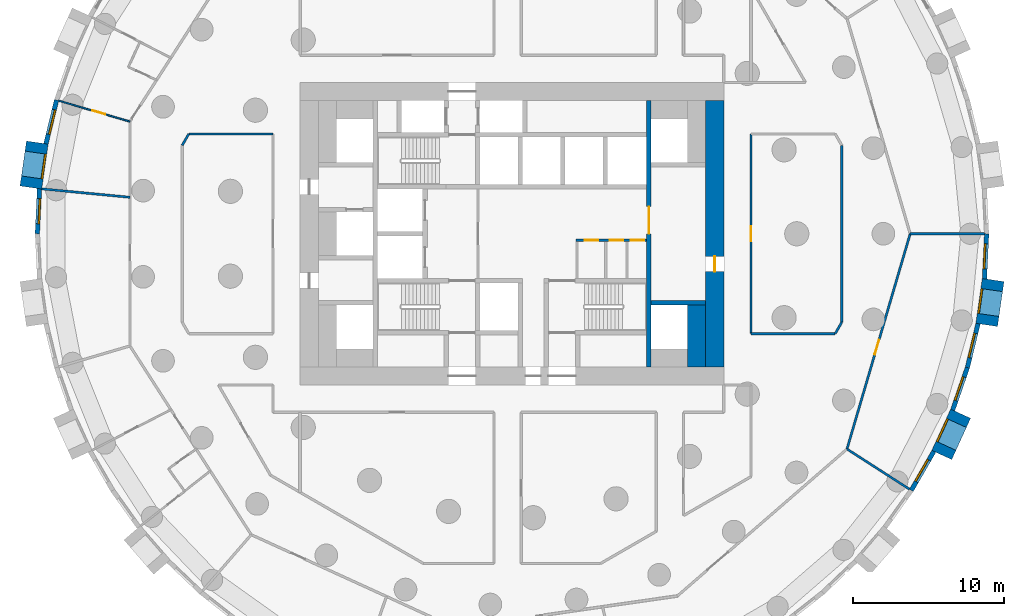
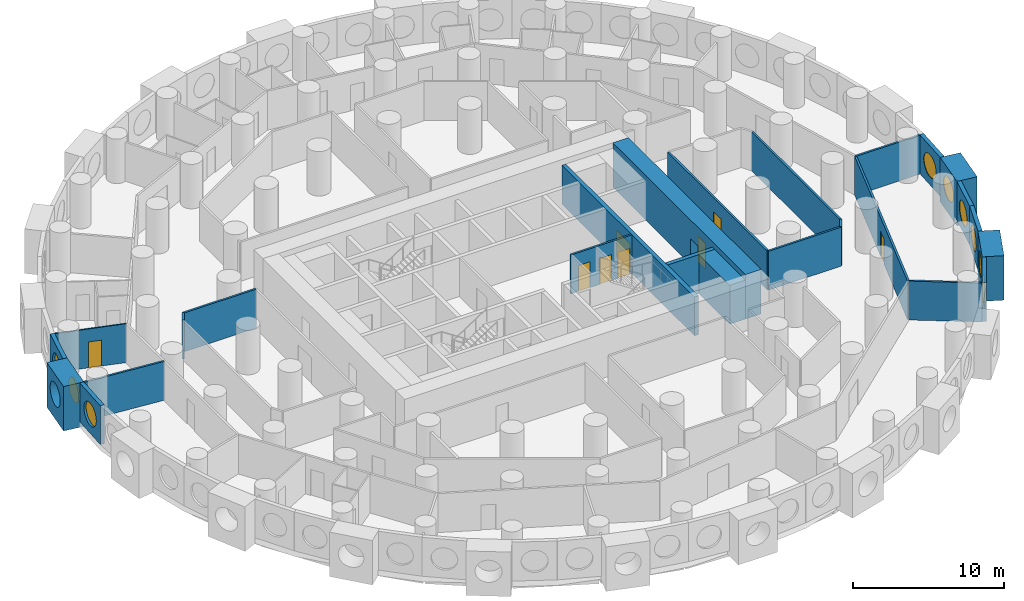
# One storey, part 6 of 12: 25 walls, 9 windows, 8 doors, 17 openings.
"""IFC4 building model written with IfcOpenShell, lengths in metres."""

from ifc_helpers import new_model, si_unit, direction, frame, frame_2d, origin, origin_2d, place, context, subcontext, project, spatial, rectangle, circle, extrude, material, layer, layer_set, type_object, element, fill, save


model = new_model("IFC4")

# Units and contexts
model_context = context("Model", 3, precision=1e-05, world=origin(), true_north=direction((0.0, 1.0)))
body_context = subcontext(model_context, "Body", "Model", "MODEL_VIEW")
ifc_project = project(units=[si_unit("LENGTHUNIT", "METRE"), si_unit("AREAUNIT", "SQUARE_METRE"), si_unit("VOLUMEUNIT", "CUBIC_METRE"), si_unit("PLANEANGLEUNIT", "RADIAN"), si_unit("MASSUNIT", "GRAM", prefix="KILO")], contexts=[model_context])

# Site, building, storey
site_placement = place(None, origin())
site = spatial("IfcSite", under=ifc_project, at=site_placement, CompositionType="ELEMENT")
building_placement = place(site_placement, origin())
building = spatial("IfcBuilding", under=site, at=building_placement, Name="Tracery Tower", CompositionType="ELEMENT")
storey_placement = place(building_placement, frame((0.0, 0.0, 57.0)))
storey = spatial("IfcBuildingStorey", under=building, at=storey_placement, Name="L13", CompositionType="ELEMENT", Elevation=57.0)

# Wall, openings, doors
ifc_material_1 = material(Name="Plasterboard on steel studs", Category="steel")
ifc_layer_1 = layer(ifc_material_1, 0.14990234375)
ifc_layer_set_1 = layer_set([ifc_layer_1], Name="Core room partition 150")
wall_type_1 = type_object("IfcWallType", Name="Core room partition 150", PredefinedType="SOLIDWALL", material=ifc_layer_set_1)
wall_1_placement = place(storey_placement, frame((4.22509765625, -0.425048828125, 0.0), z_axis=(0.0, 0.0, 1.0), x_axis=(1.0, 0.0, 0.0)))
wall_1 = element("IfcWall", 1, at=wall_1_placement, inside=storey, type_object=wall_type_1, Name="L13 slot N", PredefinedType="SOLIDWALL", context=body_context, shape_type="SweptSolid", body=[
    extrude(rectangle(XDim=4.6748046875, YDim=0.14990234375, at=frame_2d((2.33740234375, 0.0))), origin(), (0.0, 0.0, 1.0), 3.14990234375),
])
opening_1_placement = place(wall_1_placement, frame((0.574951171875, 0.0, 0.0)))
opening_1 = element("IfcOpeningElement", 2, at=opening_1_placement, cuts=wall_1, Name="Opening KD22", PredefinedType="OPENING", context=body_context, shape_type="SweptSolid", body=[
    extrude(rectangle(XDim=0.89990234375, YDim=2.10009765625, at=frame_2d((0.449951171875, 1.050048828125))), frame((0.0, 0.074951171875, 0.0), z_axis=(0.0, -1.0, 0.0), x_axis=(1.0, 0.0, 0.0)), (0.0, 0.0, 1.0), 0.14990234375),
])
opening_2_placement = place(wall_1_placement, frame((2.22509765625, 0.0, 0.0)))
opening_2 = element("IfcOpeningElement", 3, at=opening_2_placement, cuts=wall_1, Name="Opening KD26", PredefinedType="OPENING", context=body_context, shape_type="SweptSolid", body=[
    extrude(rectangle(XDim=0.89990234375, YDim=2.10009765625, at=frame_2d((0.449951171875, 1.050048828125))), frame((0.0, 0.074951171875, 0.0), z_axis=(0.0, -1.0, 0.0), x_axis=(1.0, 0.0, 0.0)), (0.0, 0.0, 1.0), 0.14990234375),
])
opening_3_placement = place(wall_1_placement, frame((3.612548828125, 0.0, 0.0)))
opening_3 = element("IfcOpeningElement", 4, at=opening_3_placement, cuts=wall_1, Name="Opening KD27", PredefinedType="OPENING", context=body_context, shape_type="SweptSolid", body=[
    extrude(rectangle(XDim=0.89990234375, YDim=2.10009765625, at=frame_2d((0.449951171875, 1.050048828125))), frame((0.0, 0.074951171875, 0.0), z_axis=(0.0, -1.0, 0.0), x_axis=(1.0, 0.0, 0.0)), (0.0, 0.0, 1.0), 0.14990234375),
])
ifc_material_2 = material(Name="Timber door leaf", Category="wood")
door_type_1 = type_object("IfcDoorType", Name="Core WC door 900", OperationType="NOTDEFINED", PredefinedType="DOOR", material=ifc_material_2)
door_1_placement = place(opening_1_placement, origin())
door_1 = element("IfcDoor", 5, at=door_1_placement, inside=storey, type_object=door_type_1, Name="Core door", OperationType="SINGLE_SWING_RIGHT", OverallHeight=2.10009765625, OverallWidth=0.89990234375, PredefinedType="DOOR", context=body_context, shape_type="SweptSolid", body=[
    extrude(rectangle(XDim=0.89990234375, YDim=2.10009765625, at=frame_2d((0.449951171875, 1.050048828125))), frame((0.0, 0.02490234375, 0.0), z_axis=(0.0, -1.0, 0.0), x_axis=(1.0, 0.0, 0.0)), (0.0, 0.0, 1.0), 0.050048828125),
])
fill(opening_1, door_1)
ifc_material_3 = material(Name="Timber door leaf", Category="wood")
door_type_2 = type_object("IfcDoorType", Name="Core store door 900", OperationType="NOTDEFINED", PredefinedType="DOOR", material=ifc_material_3)
door_2_placement = place(opening_2_placement, origin())
door_2 = element("IfcDoor", 6, at=door_2_placement, inside=storey, type_object=door_type_2, Name="Core door", OperationType="SINGLE_SWING_LEFT", OverallHeight=2.10009765625, OverallWidth=0.89990234375, PredefinedType="DOOR", context=body_context, shape_type="SweptSolid", body=[
    extrude(rectangle(XDim=0.89990234375, YDim=2.10009765625, at=frame_2d((0.449951171875, 1.050048828125))), frame((0.0, 0.02490234375, 0.0), z_axis=(0.0, -1.0, 0.0), x_axis=(1.0, 0.0, 0.0)), (0.0, 0.0, 1.0), 0.050048828125),
])
fill(opening_2, door_2)
door_3_placement = place(opening_3_placement, origin())
door_3 = element("IfcDoor", 7, at=door_3_placement, inside=storey, type_object=door_type_2, Name="Core door", OperationType="SINGLE_SWING_RIGHT", OverallHeight=2.10009765625, OverallWidth=0.89990234375, PredefinedType="DOOR", context=body_context, shape_type="SweptSolid", body=[
    extrude(rectangle(XDim=0.89990234375, YDim=2.10009765625, at=frame_2d((0.449951171875, 1.050048828125))), frame((0.0, 0.02490234375, 0.0), z_axis=(0.0, -1.0, 0.0), x_axis=(1.0, 0.0, 0.0)), (0.0, 0.0, 1.0), 0.050048828125),
])
fill(opening_3, door_3)

# Wall
ifc_material_4 = material(Name="Concrete C60/75", Category="concrete")
ifc_layer_2 = layer(ifc_material_4, 1.199951171875)
ifc_layer_set_2 = layer_set([ifc_layer_2], Name="Core strip wall 1200 C60")
wall_type_2 = type_object("IfcWallType", Name="Core strip wall 1200 C60", PredefinedType="SOLIDWALL", material=ifc_layer_set_2)
wall_2_placement = place(storey_placement, frame((12.199951171875, -8.800048828125, 0.0), z_axis=(0.0, 0.0, 1.0), x_axis=(0.0, 1.0, 0.0)))
element("IfcWall", 8, at=wall_2_placement, inside=storey, type_object=wall_type_2, Name="L13 wing strip +1 -9.4", PredefinedType="SOLIDWALL", context=body_context, shape_type="SweptSolid", body=[
    extrude(rectangle(XDim=4.10009765625, YDim=1.199951171875, at=frame_2d((2.050048828125, 0.0))), origin(), (0.0, 0.0, 1.0), 3.14990234375),
])

# Wall, opening, door
ifc_material_5 = material(Name="Concrete C60/75", Category="concrete")
ifc_layer_3 = layer(ifc_material_5, 1.199951171875)
ifc_layer_set_3 = layer_set([ifc_layer_3], Name="Core wall 1200 C60")
wall_type_3 = type_object("IfcWallType", Name="Core wall 1200 C60", PredefinedType="SOLIDWALL", material=ifc_layer_set_3)
wall_3_placement = place(storey_placement, frame((13.39990234375, -8.800048828125, 0.0), z_axis=(0.0, 0.0, 1.0), x_axis=(0.0, 1.0, 0.0)))
wall_3 = element("IfcWall", 9, at=wall_3_placement, inside=storey, type_object=wall_type_3, Name="L13 outer E", PredefinedType="SOLIDWALL", context=body_context, shape_type="SweptSolid", body=[
    extrude(rectangle(XDim=17.60009765625, YDim=1.199951171875, at=frame_2d((8.800048828125, 0.0))), origin(), (0.0, 0.0, 1.0), 3.60009765625),
])
opening_4_placement = place(wall_3_placement, frame((6.300048828125, 0.0, 0.0)))
opening_4 = element("IfcOpeningElement", 10, at=opening_4_placement, cuts=wall_3, Name="Opening KD18", PredefinedType="OPENING", context=body_context, shape_type="SweptSolid", body=[
    extrude(rectangle(XDim=1.0, YDim=2.10009765625, at=frame_2d((0.5, 1.050048828125))), frame((0.0, 0.60009765625, 0.0), z_axis=(0.0, -1.0, 0.0), x_axis=(1.0, 0.0, 0.0)), (0.0, 0.0, 1.0), 1.199951171875),
])
ifc_material_6 = material(Name="Steel fire door", Category="steel")
door_type_3 = type_object("IfcDoorType", Name="Core exit door 1000", OperationType="NOTDEFINED", PredefinedType="DOOR", material=ifc_material_6)
door_4_placement = place(opening_4_placement, origin())
door_4 = element("IfcDoor", 11, at=door_4_placement, inside=storey, type_object=door_type_3, Name="Core exit door", OperationType="DOUBLE_DOOR_SINGLE_SWING", OverallHeight=2.10009765625, OverallWidth=1.0, PredefinedType="DOOR", context=body_context, shape_type="SweptSolid", body=[
    extrude(rectangle(XDim=1.0, YDim=2.10009765625, at=frame_2d((0.5, 1.050048828125))), frame((0.0, 0.02490234375, 0.0), z_axis=(0.0, -1.0, 0.0), x_axis=(1.0, 0.0, 0.0)), (0.0, 0.0, 1.0), 0.050048828125),
])
fill(opening_4, door_4)

# Wall, opening, window
ifc_material_7 = material(Name="Precast concrete C50/60", Category="concrete")
ifc_layer_4 = layer(ifc_material_7, 1.449951171875)
ifc_layer_set_4 = layer_set([ifc_layer_4], Name="Deep-set bay unit 3000 x 3600, slab edge 450")
wall_type_4 = type_object("IfcWallType", Name="Deep-set bay unit 3000 x 3600, slab edge 450", PredefinedType="ELEMENTEDWALL", material=ifc_layer_set_4)
wall_4_placement = place(storey_placement, frame((-31.37548828125, 6.026611328125, -0.449951171875), z_axis=(0.0, 0.0, 1.0), x_axis=(-0.142332746704, -0.989818866872, 0.0)))
wall_4 = element("IfcWall", 12, at=wall_4_placement, inside=storey, type_object=wall_type_4, Name="Deep-set bay unit 32 at L13", PredefinedType="ELEMENTEDWALL", context=body_context, shape_type="SweptSolid", body=[
    extrude(rectangle(XDim=3.0, YDim=1.449951171875, at=frame_2d((1.5, 0.0))), origin(), (0.0, 0.0, 1.0), 3.599853515625),
])
opening_5_placement = place(wall_4_placement, frame((1.5, 0.0, 2.0)))
opening_5 = element("IfcOpeningElement", 13, at=opening_5_placement, cuts=wall_4, Name="Opening WN1", PredefinedType="OPENING", context=body_context, shape_type="SweptSolid", body=[
    extrude(circle(Radius=0.9000244140625, at=origin_2d()), frame((0.0, 0.73486328125, 0.0), z_axis=(0.0, -1.0, 0.0), x_axis=(1.0, 0.0, 0.0)), (0.0, 0.0, 1.0), 1.469970703125),
])
ifc_material_8 = material(Name="Aluminium frame with tinted double glazing", Category="aluminium")
window_type = type_object("IfcWindowType", Name="Round window 1800", PartitioningType="SINGLE_PANEL", PredefinedType="WINDOW", material=ifc_material_8)
window_1_placement = place(opening_5_placement, origin())
window_1 = element("IfcWindow", 14, at=window_1_placement, inside=storey, type_object=window_type, Name="Round window 32 at L13", OverallHeight=1.800048828125, OverallWidth=1.800048828125, PartitioningType="SINGLE_PANEL", PredefinedType="WINDOW", context=body_context, shape_type="SweptSolid", body=[
    extrude(circle(Radius=0.9000244140625, at=origin_2d()), frame((0.0, 0.69482421875, 0.0), z_axis=(0.0, -1.0, 0.0), x_axis=(1.0, 0.0, 0.0)), (0.0, 0.0, 1.0), 0.10009765625),
])
fill(opening_5, window_1)

wall_5_placement = place(storey_placement, frame((28.40673828125, -14.6220703125, -0.449951171875), z_axis=(0.0, 0.0, 1.0), x_axis=(0.415427028395, 0.909626508012, 0.0)))
wall_5 = element("IfcWall", 15, at=wall_5_placement, inside=storey, type_object=wall_type_4, Name="Deep-set bay unit 62 at L13", PredefinedType="ELEMENTEDWALL", context=body_context, shape_type="SweptSolid", body=[
    extrude(rectangle(XDim=3.000244140625, YDim=1.449951171875, at=frame_2d((1.5, 0.0))), origin(), (0.0, 0.0, 1.0), 3.599853515625),
])
opening_6_placement = place(wall_5_placement, frame((1.5, 0.0, 2.0)))
opening_6 = element("IfcOpeningElement", 16, at=opening_6_placement, cuts=wall_5, Name="Opening WN1", PredefinedType="OPENING", context=body_context, shape_type="SweptSolid", body=[
    extrude(circle(Radius=0.9000244140625, at=origin_2d()), frame((0.0, 0.73486328125, 0.0), z_axis=(0.0, -1.0, 0.0), x_axis=(1.0, 0.0, 0.0)), (0.0, 0.0, 1.0), 1.469970703125),
])
window_2_placement = place(opening_6_placement, origin())
window_2 = element("IfcWindow", 17, at=window_2_placement, inside=storey, type_object=window_type, Name="Round window 62 at L13", OverallHeight=1.800048828125, OverallWidth=1.800048828125, PartitioningType="SINGLE_PANEL", PredefinedType="WINDOW", context=body_context, shape_type="SweptSolid", body=[
    extrude(circle(Radius=0.9000244140625, at=origin_2d()), frame((0.0, 0.69482421875, 0.0), z_axis=(0.0, -1.0, 0.0), x_axis=(1.0, 0.0, 0.0)), (0.0, 0.0, 1.0), 0.10009765625),
])
fill(opening_6, window_2)

wall_6_placement = place(storey_placement, frame((31.37548828125, -6.026611328125, -0.449951171875), z_axis=(0.0, 0.0, 1.0), x_axis=(0.142332746704, 0.989818866872, 0.0)))
wall_6 = element("IfcWall", 18, at=wall_6_placement, inside=storey, type_object=wall_type_4, Name="Deep-set bay unit 65 at L13", PredefinedType="ELEMENTEDWALL", context=body_context, shape_type="SweptSolid", body=[
    extrude(rectangle(XDim=3.0, YDim=1.449951171875, at=frame_2d((1.5, 0.0))), origin(), (0.0, 0.0, 1.0), 3.599853515625),
])
opening_7_placement = place(wall_6_placement, frame((1.5, 0.0, 2.0)))
opening_7 = element("IfcOpeningElement", 19, at=opening_7_placement, cuts=wall_6, Name="Opening WN1", PredefinedType="OPENING", context=body_context, shape_type="SweptSolid", body=[
    extrude(circle(Radius=0.9000244140625, at=origin_2d()), frame((0.0, 0.73486328125, 0.0), z_axis=(0.0, -1.0, 0.0), x_axis=(1.0, 0.0, 0.0)), (0.0, 0.0, 1.0), 1.469970703125),
])
window_3_placement = place(opening_7_placement, origin())
window_3 = element("IfcWindow", 20, at=window_3_placement, inside=storey, type_object=window_type, Name="Round window 65 at L13", OverallHeight=1.800048828125, OverallWidth=1.800048828125, PartitioningType="SINGLE_PANEL", PredefinedType="WINDOW", context=body_context, shape_type="SweptSolid", body=[
    extrude(circle(Radius=0.9000244140625, at=origin_2d()), frame((0.0, 0.69482421875, 0.0), z_axis=(0.0, -1.0, 0.0), x_axis=(1.0, 0.0, 0.0)), (0.0, 0.0, 1.0), 0.10009765625),
])
fill(opening_7, window_3)

ifc_material_9 = material(Name="Precast concrete C50/60", Category="concrete")
ifc_layer_5 = layer(ifc_material_9, 0.300048828125)
ifc_layer_set_5 = layer_set([ifc_layer_5], Name="Facade panel 3000 x 3150")
wall_type_5 = type_object("IfcWallType", Name="Facade panel 3000 x 3150", PredefinedType="SOLIDWALL", material=ifc_layer_set_5)
wall_7_placement = place(storey_placement, frame((-30.103515625, 8.839111328125, 0.0), z_axis=(0.0, 0.0, 1.0), x_axis=(-0.235743081534, -0.971815414319, 0.0)))
wall_7 = element("IfcWall", 21, at=wall_7_placement, inside=storey, type_object=wall_type_5, Name="Facade panel 31 at L13", PredefinedType="SOLIDWALL", context=body_context, shape_type="SweptSolid", body=[
    extrude(rectangle(XDim=2.9794921875, YDim=0.300048828125, at=frame_2d((1.48974609375, 0.0))), origin(), (0.0, 0.0, 1.0), 3.14990234375),
])
opening_8_placement = place(wall_7_placement, frame((1.48974609375, 0.0, 1.5498046875)))
opening_8 = element("IfcOpeningElement", 22, at=opening_8_placement, cuts=wall_7, Name="Opening WN1", PredefinedType="OPENING", context=body_context, shape_type="SweptSolid", body=[
    extrude(circle(Radius=0.9000244140625, at=origin_2d()), frame((0.0, 0.159912109375, 0.0), z_axis=(0.0, -1.0, 0.0), x_axis=(1.0, 0.0, 0.0)), (0.0, 0.0, 1.0), 0.320068359375),
])
window_4_placement = place(opening_8_placement, origin())
window_4 = element("IfcWindow", 23, at=window_4_placement, inside=storey, type_object=window_type, Name="Round window 31 at L13", OverallHeight=1.800048828125, OverallWidth=1.800048828125, PartitioningType="SINGLE_PANEL", PredefinedType="WINDOW", context=body_context, shape_type="SweptSolid", body=[
    extrude(circle(Radius=0.9000244140625, at=origin_2d()), frame((0.0, 0.1201171875, 0.0), z_axis=(0.0, -1.0, 0.0), x_axis=(1.0, 0.0, 0.0)), (0.0, 0.0, 1.0), 0.10009765625),
])
fill(opening_8, window_4)

wall_8_placement = place(storey_placement, frame((-31.232666015625, 2.976318359375, 0.0), z_axis=(0.0, 0.0, 1.0), x_axis=(-0.047604077644, -0.998866283239, 0.0)))
wall_8 = element("IfcWall", 24, at=wall_8_placement, inside=storey, type_object=wall_type_5, Name="Facade panel 33 at L13", PredefinedType="SOLIDWALL", context=body_context, shape_type="SweptSolid", body=[
    extrude(rectangle(XDim=2.979736328125, YDim=0.300048828125, at=frame_2d((1.48974609375, 0.0))), origin(), (0.0, 0.0, 1.0), 3.14990234375),
])
opening_9_placement = place(wall_8_placement, frame((1.48974609375, 0.0, 1.5498046875)))
opening_9 = element("IfcOpeningElement", 25, at=opening_9_placement, cuts=wall_8, Name="Opening WN1", PredefinedType="OPENING", context=body_context, shape_type="SweptSolid", body=[
    extrude(circle(Radius=0.9000244140625, at=origin_2d()), frame((0.0, 0.159912109375, 0.0), z_axis=(0.0, -1.0, 0.0), x_axis=(1.0, 0.0, 0.0)), (0.0, 0.0, 1.0), 0.320068359375),
])
window_5_placement = place(opening_9_placement, origin())
window_5 = element("IfcWindow", 26, at=window_5_placement, inside=storey, type_object=window_type, Name="Round window 33 at L13", OverallHeight=1.800048828125, OverallWidth=1.800048828125, PartitioningType="SINGLE_PANEL", PredefinedType="WINDOW", context=body_context, shape_type="SweptSolid", body=[
    extrude(circle(Radius=0.9000244140625, at=origin_2d()), frame((0.0, 0.1201171875, 0.0), z_axis=(0.0, -1.0, 0.0), x_axis=(1.0, 0.0, 0.0)), (0.0, 0.0, 1.0), 0.10009765625),
])
fill(opening_9, window_5)

wall_9_placement = place(storey_placement, frame((26.393798828125, -16.96240234375, 0.0), z_axis=(0.0, 0.0, 1.0), x_axis=(0.500025049464, 0.866010940986, 0.0)))
wall_9 = element("IfcWall", 27, at=wall_9_placement, inside=storey, type_object=wall_type_5, Name="Facade panel 61 at L13", PredefinedType="SOLIDWALL", context=body_context, shape_type="SweptSolid", body=[
    extrude(rectangle(XDim=2.979736328125, YDim=0.300048828125, at=frame_2d((1.48974609375, 0.0))), origin(), (0.0, 0.0, 1.0), 3.14990234375),
])
opening_10_placement = place(wall_9_placement, frame((1.48974609375, 0.0, 1.5498046875)))
opening_10 = element("IfcOpeningElement", 28, at=opening_10_placement, cuts=wall_9, Name="Opening WN1", PredefinedType="OPENING", context=body_context, shape_type="SweptSolid", body=[
    extrude(circle(Radius=0.9000244140625, at=origin_2d()), frame((0.0, 0.159912109375, 0.0), z_axis=(0.0, -1.0, 0.0), x_axis=(1.0, 0.0, 0.0)), (0.0, 0.0, 1.0), 0.320068359375),
])
window_6_placement = place(opening_10_placement, origin())
window_6 = element("IfcWindow", 29, at=window_6_placement, inside=storey, type_object=window_type, Name="Round window 61 at L13", OverallHeight=1.800048828125, OverallWidth=1.800048828125, PartitioningType="SINGLE_PANEL", PredefinedType="WINDOW", context=body_context, shape_type="SweptSolid", body=[
    extrude(circle(Radius=0.9000244140625, at=origin_2d()), frame((0.0, 0.1201171875, 0.0), z_axis=(0.0, -1.0, 0.0), x_axis=(1.0, 0.0, 0.0)), (0.0, 0.0, 1.0), 0.10009765625),
])
fill(opening_10, window_6)

wall_10_placement = place(storey_placement, frame((29.12890625, -11.655029296875, 0.0), z_axis=(0.0, 0.0, 1.0), x_axis=(0.327071167136, 0.944999709856, 0.0)))
wall_10 = element("IfcWall", 30, at=wall_10_placement, inside=storey, type_object=wall_type_5, Name="Facade panel 63 at L13", PredefinedType="SOLIDWALL", context=body_context, shape_type="SweptSolid", body=[
    extrude(rectangle(XDim=2.979736328125, YDim=0.300048828125, at=frame_2d((1.48974609375, 0.0))), origin(), (0.0, 0.0, 1.0), 3.14990234375),
])
opening_11_placement = place(wall_10_placement, frame((1.48974609375, 0.0, 1.5498046875)))
opening_11 = element("IfcOpeningElement", 31, at=opening_11_placement, cuts=wall_10, Name="Opening WN1", PredefinedType="OPENING", context=body_context, shape_type="SweptSolid", body=[
    extrude(circle(Radius=0.9000244140625, at=origin_2d()), frame((0.0, 0.159912109375, 0.0), z_axis=(0.0, -1.0, 0.0), x_axis=(1.0, 0.0, 0.0)), (0.0, 0.0, 1.0), 0.320068359375),
])
window_7_placement = place(opening_11_placement, origin())
window_7 = element("IfcWindow", 32, at=window_7_placement, inside=storey, type_object=window_type, Name="Round window 63 at L13", OverallHeight=1.800048828125, OverallWidth=1.800048828125, PartitioningType="SINGLE_PANEL", PredefinedType="WINDOW", context=body_context, shape_type="SweptSolid", body=[
    extrude(circle(Radius=0.9000244140625, at=origin_2d()), frame((0.0, 0.1201171875, 0.0), z_axis=(0.0, -1.0, 0.0), x_axis=(1.0, 0.0, 0.0)), (0.0, 0.0, 1.0), 0.10009765625),
])
fill(opening_11, window_7)

wall_11_placement = place(storey_placement, frame((30.103515625, -8.839111328125, 0.0), z_axis=(0.0, 0.0, 1.0), x_axis=(0.235743081534, 0.971815414319, 0.0)))
wall_11 = element("IfcWall", 33, at=wall_11_placement, inside=storey, type_object=wall_type_5, Name="Facade panel 64 at L13", PredefinedType="SOLIDWALL", context=body_context, shape_type="SweptSolid", body=[
    extrude(rectangle(XDim=2.9794921875, YDim=0.300048828125, at=frame_2d((1.48974609375, 0.0))), origin(), (0.0, 0.0, 1.0), 3.14990234375),
])
opening_12_placement = place(wall_11_placement, frame((1.48974609375, 0.0, 1.5498046875)))
opening_12 = element("IfcOpeningElement", 34, at=opening_12_placement, cuts=wall_11, Name="Opening WN1", PredefinedType="OPENING", context=body_context, shape_type="SweptSolid", body=[
    extrude(circle(Radius=0.9000244140625, at=origin_2d()), frame((0.0, 0.159912109375, 0.0), z_axis=(0.0, -1.0, 0.0), x_axis=(1.0, 0.0, 0.0)), (0.0, 0.0, 1.0), 0.320068359375),
])
window_8_placement = place(opening_12_placement, origin())
window_8 = element("IfcWindow", 35, at=window_8_placement, inside=storey, type_object=window_type, Name="Round window 64 at L13", OverallHeight=1.800048828125, OverallWidth=1.800048828125, PartitioningType="SINGLE_PANEL", PredefinedType="WINDOW", context=body_context, shape_type="SweptSolid", body=[
    extrude(circle(Radius=0.9000244140625, at=origin_2d()), frame((0.0, 0.1201171875, 0.0), z_axis=(0.0, -1.0, 0.0), x_axis=(1.0, 0.0, 0.0)), (0.0, 0.0, 1.0), 0.10009765625),
])
fill(opening_12, window_8)

wall_12_placement = place(storey_placement, frame((31.232666015625, -2.976318359375, 0.0), z_axis=(0.0, 0.0, 1.0), x_axis=(0.047604077644, 0.998866283239, 0.0)))
wall_12 = element("IfcWall", 36, at=wall_12_placement, inside=storey, type_object=wall_type_5, Name="Facade panel 66 at L13", PredefinedType="SOLIDWALL", context=body_context, shape_type="SweptSolid", body=[
    extrude(rectangle(XDim=2.979736328125, YDim=0.300048828125, at=frame_2d((1.48974609375, 0.0))), origin(), (0.0, 0.0, 1.0), 3.14990234375),
])
opening_13_placement = place(wall_12_placement, frame((1.48974609375, 0.0, 1.5498046875)))
opening_13 = element("IfcOpeningElement", 37, at=opening_13_placement, cuts=wall_12, Name="Opening WN1", PredefinedType="OPENING", context=body_context, shape_type="SweptSolid", body=[
    extrude(circle(Radius=0.9000244140625, at=origin_2d()), frame((0.0, 0.159912109375, 0.0), z_axis=(0.0, -1.0, 0.0), x_axis=(1.0, 0.0, 0.0)), (0.0, 0.0, 1.0), 0.320068359375),
])
window_9_placement = place(opening_13_placement, origin())
window_9 = element("IfcWindow", 38, at=window_9_placement, inside=storey, type_object=window_type, Name="Round window 66 at L13", OverallHeight=1.800048828125, OverallWidth=1.800048828125, PartitioningType="SINGLE_PANEL", PredefinedType="WINDOW", context=body_context, shape_type="SweptSolid", body=[
    extrude(circle(Radius=0.9000244140625, at=origin_2d()), frame((0.0, 0.1201171875, 0.0), z_axis=(0.0, -1.0, 0.0), x_axis=(1.0, 0.0, 0.0)), (0.0, 0.0, 1.0), 0.10009765625),
])
fill(opening_13, window_9)

# Wall, opening, door
ifc_material_10 = material(Name="Plasterboard on steel studs", Category="steel")
ifc_layer_6 = layer(ifc_material_10, 0.10009765625)
ifc_layer_set_6 = layer_set([ifc_layer_6], Name="Partition 100 stud")
wall_type_6 = type_object("IfcWallType", Name="Partition 100 stud", PredefinedType="PARTITIONING", material=ifc_layer_set_6)
wall_13_placement = place(storey_placement, frame((-29.958984375, 8.797119140625, 0.0), z_axis=(0.0, 0.0, 1.0), x_axis=(0.959478767209, -0.281780934902, 0.0)))
wall_13 = element("IfcWall", 39, at=wall_13_placement, inside=storey, type_object=wall_type_6, Name="Stud partition RA3-088", PredefinedType="PARTITIONING", context=body_context, shape_type="SweptSolid", body=[
    extrude(rectangle(XDim=4.90478515625, YDim=0.10009765625, at=frame_2d((2.452392578125, 0.0))), origin(), (0.0, 0.0, 1.0), 3.14990234375),
])
opening_14_placement = place(wall_13_placement, frame((2.302734375, 0.0, 0.0)))
opening_14 = element("IfcOpeningElement", 40, at=opening_14_placement, cuts=wall_13, Name="Opening RA3-30", PredefinedType="OPENING", context=body_context, shape_type="SweptSolid", body=[
    extrude(rectangle(XDim=0.89990234375, YDim=2.10009765625, at=frame_2d((0.449951171875, 1.050048828125))), frame((0.0, 0.050048828125, 0.0), z_axis=(0.0, -1.0, 0.0), x_axis=(1.0, 0.0, 0.0)), (0.0, 0.0, 1.0), 0.10009765625),
])
ifc_material_11 = material(Name="Timber door leaf", Category="wood")
door_type_4 = type_object("IfcDoorType", Name="Door bedroom 900", OperationType="NOTDEFINED", PredefinedType="DOOR", material=ifc_material_11)
door_5_placement = place(opening_14_placement, origin())
door_5 = element("IfcDoor", 41, at=door_5_placement, inside=storey, type_object=door_type_4, Name="Bedroom door RA3-30", OperationType="SINGLE_SWING_LEFT", OverallHeight=2.10009765625, OverallWidth=0.89990234375, PredefinedType="DOOR", context=body_context, shape_type="SweptSolid", body=[
    extrude(rectangle(XDim=0.89990234375, YDim=2.10009765625, at=frame_2d((0.449951171875, 1.050048828125))), frame((0.0, 0.02490234375, 0.0), z_axis=(0.0, -1.0, 0.0), x_axis=(1.0, 0.0, 0.0)), (0.0, 0.0, 1.0), 0.050048828125),
])
fill(opening_14, door_5)

# Walls
ifc_material_12 = material(Name="Plasterboard on steel studs", Category="steel")
ifc_layer_7 = layer(ifc_material_12, 0.14990234375)
ifc_layer_set_7 = layer_set([ifc_layer_7], Name="Partition 150 acoustic unit wall")
wall_type_7 = type_object("IfcWallType", Name="Partition 150 acoustic unit wall", PredefinedType="PARTITIONING", material=ifc_layer_set_7)
wall_14_placement = place(storey_placement, frame((26.319091796875, 0.0, 0.0), z_axis=(0.0, 0.0, 1.0), x_axis=(1.0, 0.0, 0.0)))
element("IfcWall", 42, at=wall_14_placement, inside=storey, type_object=wall_type_7, Name="Unit wall RA3-061", PredefinedType="PARTITIONING", context=body_context, shape_type="SweptSolid", body=[
    extrude(rectangle(XDim=4.905029296875, YDim=0.14990234375, at=frame_2d((2.45263671875, 0.0))), origin(), (0.0, 0.0, 1.0), 3.14990234375),
])
wall_15_placement = place(storey_placement, frame((-31.0830078125, 2.968017578125, 0.0), z_axis=(0.0, 0.0, 1.0), x_axis=(0.995465070325, -0.095127775983, 0.0)))
element("IfcWall", 43, at=wall_15_placement, inside=storey, type_object=wall_type_7, Name="Unit wall RA3-092", PredefinedType="PARTITIONING", context=body_context, shape_type="SweptSolid", body=[
    extrude(rectangle(XDim=5.856689453125, YDim=0.14990234375, at=frame_2d((2.92822265625, 0.0))), origin(), (0.0, 0.0, 1.0), 3.14990234375),
])
wall_16_placement = place(storey_placement, frame((22.14111328125, -14.22900390625, 0.0), z_axis=(0.0, 0.0, 1.0), x_axis=(0.841265781699, -0.540621757371, 0.0)))
element("IfcWall", 44, at=wall_16_placement, inside=storey, type_object=wall_type_7, Name="Unit wall RA3-102", PredefinedType="PARTITIONING", context=body_context, shape_type="SweptSolid", body=[
    extrude(rectangle(XDim=4.90576171875, YDim=0.14990234375, at=frame_2d((2.452880859375, 0.0))), origin(), (0.0, 0.0, 1.0), 3.14990234375),
])

# Wall, opening, door
ifc_material_13 = material(Name="Plasterboard on steel studs", Category="steel")
ifc_layer_8 = layer(ifc_material_13, 0.14990234375)
ifc_layer_set_8 = layer_set([ifc_layer_8], Name="Partition 150 corridor wall")
wall_type_8 = type_object("IfcWallType", Name="Partition 150 corridor wall", PredefinedType="PARTITIONING", material=ifc_layer_set_8)
wall_17_placement = place(storey_placement, frame((15.800048828125, -6.60400390625, 0.0), z_axis=(0.0, 0.0, 1.0), x_axis=(0.0, 1.0, 0.0)))
wall_17 = element("IfcWall", 45, at=wall_17_placement, inside=storey, type_object=wall_type_8, Name="Corridor wall RA3-012", PredefinedType="PARTITIONING", context=body_context, shape_type="SweptSolid", body=[
    extrude(rectangle(XDim=13.2080078125, YDim=0.14990234375, at=frame_2d((6.60400390625, 0.0))), origin(), (0.0, 0.0, 1.0), 3.14990234375),
])
opening_15_placement = place(wall_17_placement, frame((6.10400390625, 0.0, 0.0)))
opening_15 = element("IfcOpeningElement", 46, at=opening_15_placement, cuts=wall_17, Name="Opening RA3-07", PredefinedType="OPENING", context=body_context, shape_type="SweptSolid", body=[
    extrude(rectangle(XDim=1.0, YDim=2.0400390625, at=frame_2d((0.5, 1.02001953125))), frame((0.0, 0.074951171875, 0.0), z_axis=(0.0, -1.0, 0.0), x_axis=(1.0, 0.0, 0.0)), (0.0, 0.0, 1.0), 0.14990234375),
])
ifc_material_14 = material(Name="Timber door leaf", Category="wood")
door_type_5 = type_object("IfcDoorType", Name="Door communal room 1000", OperationType="NOTDEFINED", PredefinedType="DOOR", material=ifc_material_14)
door_6_placement = place(opening_15_placement, origin())
door_6 = element("IfcDoor", 47, at=door_6_placement, inside=storey, type_object=door_type_5, Name="Communal room door RA3-07", OperationType="SINGLE_SWING_RIGHT", OverallHeight=2.0400390625, OverallWidth=1.0, PredefinedType="DOOR", context=body_context, shape_type="SweptSolid", body=[
    extrude(rectangle(XDim=1.0, YDim=2.0400390625, at=frame_2d((0.5, 1.02001953125))), frame((0.0, 0.02490234375, 0.0), z_axis=(0.0, -1.0, 0.0), x_axis=(1.0, 0.0, 0.0)), (0.0, 0.0, 1.0), 0.050048828125),
])
fill(opening_15, door_6)

# Walls
wall_18_placement = place(storey_placement, frame((15.800048828125, -6.60009765625, 0.0), z_axis=(0.0, 0.0, 1.0), x_axis=(1.0, 0.0, 0.0)))
element("IfcWall", 48, at=wall_18_placement, inside=storey, type_object=wall_type_8, Name="Corridor wall RA3-015", PredefinedType="PARTITIONING", context=body_context, shape_type="SweptSolid", body=[
    extrude(rectangle(XDim=5.56396484375, YDim=0.14990234375, at=frame_2d((2.781982421875, 0.0))), origin(), (0.0, 0.0, 1.0), 3.14990234375),
])
wall_19_placement = place(storey_placement, frame((21.364013671875, -6.60009765625, 0.0), z_axis=(0.0, 0.0, 1.0), x_axis=(0.500277597875, 0.865865073245, 0.0)))
element("IfcWall", 49, at=wall_19_placement, inside=storey, type_object=wall_type_8, Name="Corridor wall RA3-016", PredefinedType="PARTITIONING", context=body_context, shape_type="SweptSolid", body=[
    extrude(rectangle(XDim=0.87548828125, YDim=0.14990234375, at=frame_2d((0.437744140625, 0.0))), origin(), (0.0, 0.0, 1.0), 3.14990234375),
])
wall_20_placement = place(storey_placement, frame((21.802001953125, -5.842041015625, 0.0), z_axis=(0.0, 0.0, 1.0), x_axis=(0.0, 1.0, 0.0)))
element("IfcWall", 50, at=wall_20_placement, inside=storey, type_object=wall_type_8, Name="Corridor wall RA3-017", PredefinedType="PARTITIONING", context=body_context, shape_type="SweptSolid", body=[
    extrude(rectangle(XDim=11.68408203125, YDim=0.14990234375, at=frame_2d((5.842041015625, 0.0))), origin(), (0.0, 0.0, 1.0), 3.14990234375),
])

# Wall, opening, door
wall_21_placement = place(storey_placement, frame((22.14111328125, -14.22900390625, 0.0), z_axis=(0.0, 0.0, 1.0), x_axis=(0.281730446162, 0.959493593363, 0.0)))
wall_21 = element("IfcWall", 51, at=wall_21_placement, inside=storey, type_object=wall_type_8, Name="Corridor wall RA3-024", PredefinedType="PARTITIONING", context=body_context, shape_type="SweptSolid", body=[
    extrude(rectangle(XDim=14.82958984375, YDim=0.14990234375, at=frame_2d((7.414794921875, 0.0))), origin(), (0.0, 0.0, 1.0), 3.14990234375),
])
opening_16_placement = place(wall_21_placement, frame((6.5146484375, 0.0, 0.0)))
opening_16 = element("IfcOpeningElement", 52, at=opening_16_placement, cuts=wall_21, Name="Opening RA3-41", PredefinedType="OPENING", context=body_context, shape_type="SweptSolid", body=[
    extrude(rectangle(XDim=1.0, YDim=2.0400390625, at=frame_2d((0.5, 1.02001953125))), frame((0.0, 0.074951171875, 0.0), z_axis=(0.0, -1.0, 0.0), x_axis=(1.0, 0.0, 0.0)), (0.0, 0.0, 1.0), 0.14990234375),
])
door_7_placement = place(opening_16_placement, origin())
door_7 = element("IfcDoor", 53, at=door_7_placement, inside=storey, type_object=door_type_5, Name="Communal room door RA3-41", OperationType="SINGLE_SWING_RIGHT", OverallHeight=2.0400390625, OverallWidth=1.0, PredefinedType="DOOR", context=body_context, shape_type="SweptSolid", body=[
    extrude(rectangle(XDim=1.0, YDim=2.0400390625, at=frame_2d((0.5, 1.02001953125))), frame((0.0, 0.02490234375, 0.0), z_axis=(0.0, -1.0, 0.0), x_axis=(1.0, 0.0, 0.0)), (0.0, 0.0, 1.0), 0.050048828125),
])
fill(opening_16, door_7)

# Walls
wall_22_placement = place(storey_placement, frame((-21.364013671875, 6.60009765625, 0.0), z_axis=(0.0, 0.0, 1.0), x_axis=(1.0, 0.0, 0.0)))
element("IfcWall", 54, at=wall_22_placement, inside=storey, type_object=wall_type_8, Name="Corridor wall RA3-038", PredefinedType="PARTITIONING", context=body_context, shape_type="SweptSolid", body=[
    extrude(rectangle(XDim=5.56396484375, YDim=0.14990234375, at=frame_2d((2.781982421875, 0.0))), origin(), (0.0, 0.0, 1.0), 3.14990234375),
])
wall_23_placement = place(storey_placement, frame((-21.802001953125, 5.842041015625, 0.0), z_axis=(0.0, 0.0, 1.0), x_axis=(0.500277597875, 0.865865073245, 0.0)))
element("IfcWall", 55, at=wall_23_placement, inside=storey, type_object=wall_type_8, Name="Corridor wall RA3-039", PredefinedType="PARTITIONING", context=body_context, shape_type="SweptSolid", body=[
    extrude(rectangle(XDim=0.87548828125, YDim=0.14990234375, at=frame_2d((0.437744140625, 0.0))), origin(), (0.0, 0.0, 1.0), 3.14990234375),
])
ifc_material_15 = material(Name="Concrete C60/75", Category="concrete")
ifc_layer_9 = layer(ifc_material_15, 0.300048828125)
ifc_layer_set_9 = layer_set([ifc_layer_9], Name="Shaft wall 300 C60")
wall_type_9 = type_object("IfcWallType", Name="Shaft wall 300 C60", PredefinedType="SOLIDWALL", material=ifc_layer_set_9)
wall_24_placement = place(storey_placement, frame((9.199951171875, -4.550048828125, 0.0), z_axis=(0.0, 0.0, 1.0), x_axis=(1.0, 0.0, 0.0)))
element("IfcWall", 56, at=wall_24_placement, inside=storey, type_object=wall_type_9, Name="L13 wing shaft wall +1 -4.55", PredefinedType="SOLIDWALL", context=body_context, shape_type="SweptSolid", body=[
    extrude(rectangle(XDim=3.60009765625, YDim=0.300048828125, at=frame_2d((1.800048828125, 0.0))), origin(), (0.0, 0.0, 1.0), 3.14990234375),
])

# Wall, opening, door
ifc_material_16 = material(Name="Concrete C60/75", Category="concrete")
ifc_layer_10 = layer(ifc_material_16, 0.300048828125)
ifc_layer_set_10 = layer_set([ifc_layer_10], Name="Stair wall 300 C60")
wall_type_10 = type_object("IfcWallType", Name="Stair wall 300 C60", PredefinedType="SOLIDWALL", material=ifc_layer_set_10)
wall_25_placement = place(storey_placement, frame((9.050048828125, -8.800048828125, 0.0), z_axis=(0.0, 0.0, 1.0), x_axis=(0.0, 1.0, 0.0)))
wall_25 = element("IfcWall", 57, at=wall_25_placement, inside=storey, type_object=wall_type_10, Name="L13 F wall +9", PredefinedType="SOLIDWALL", context=body_context, shape_type="SweptSolid", body=[
    extrude(rectangle(XDim=17.60009765625, YDim=0.300048828125, at=frame_2d((8.800048828125, 0.0))), origin(), (0.0, 0.0, 1.0), 3.14990234375),
])
opening_17_placement = place(wall_25_placement, frame((8.800048828125, 0.0, 0.0)))
opening_17 = element("IfcOpeningElement", 58, at=opening_17_placement, cuts=wall_25, Name="Opening KD13", PredefinedType="OPENING", context=body_context, shape_type="SweptSolid", body=[
    extrude(rectangle(XDim=1.800048828125, YDim=2.10009765625, at=frame_2d((0.89990234375, 1.050048828125))), frame((0.0, 0.14990234375, 0.0), z_axis=(0.0, -1.0, 0.0), x_axis=(1.0, 0.0, 0.0)), (0.0, 0.0, 1.0), 0.300048828125),
])
ifc_material_17 = material(Name="Steel fire door", Category="steel")
door_type_6 = type_object("IfcDoorType", Name="Core exit door 1800 double", OperationType="NOTDEFINED", PredefinedType="DOOR", material=ifc_material_17)
door_8_placement = place(opening_17_placement, origin())
door_8 = element("IfcDoor", 59, at=door_8_placement, inside=storey, type_object=door_type_6, Name="Core exit door", OperationType="DOUBLE_DOOR_SINGLE_SWING", OverallHeight=2.10009765625, OverallWidth=1.800048828125, PredefinedType="DOOR", context=body_context, shape_type="SweptSolid", body=[
    extrude(rectangle(XDim=1.800048828125, YDim=2.10009765625, at=frame_2d((0.89990234375, 1.050048828125))), frame((0.0, 0.02490234375, 0.0), z_axis=(0.0, -1.0, 0.0), x_axis=(1.0, 0.0, 0.0)), (0.0, 0.0, 1.0), 0.050048828125),
])
fill(opening_17, door_8)

save(model, "model.ifc")
